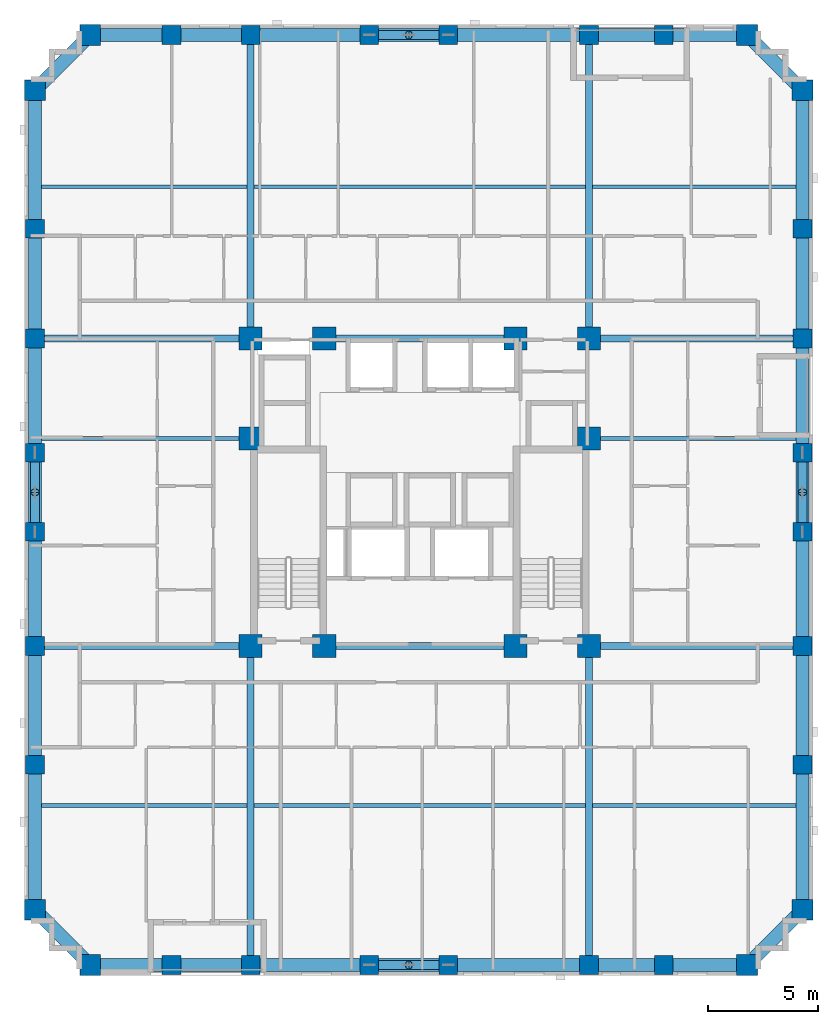
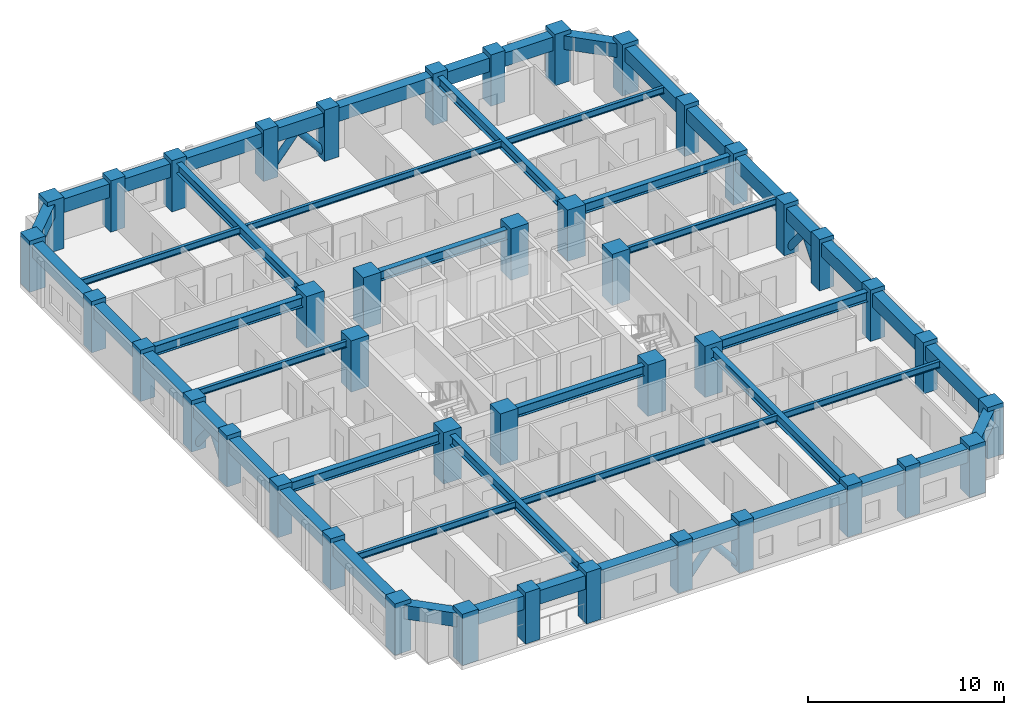
# One storey, part 1 of 12: 50 beams, 42 columns, 8 members.
"""IFC4 building model written with IfcOpenShell, lengths in metres."""

from ifc_helpers import new_model, si_unit, derived_unit, direction, frame, origin, origin_2d, place, context, subcontext, project, spatial, rectangle, hollow_circle, i_section, extrude, material, material_profile, profile_set, type_object, element, save


model = new_model("IFC4")

# Units and contexts
model_context = context("Model", 3, precision=1e-05, world=origin(), true_north=direction((0.0, 1.0)))
body_context = subcontext(model_context, "Body", "Model", "MODEL_VIEW")
ifc_project = project(units=[si_unit("LENGTHUNIT", "METRE"), si_unit("AREAUNIT", "SQUARE_METRE"), si_unit("VOLUMEUNIT", "CUBIC_METRE"), si_unit("PLANEANGLEUNIT", "RADIAN"), si_unit("MASSUNIT", "GRAM", prefix="KILO"), derived_unit("THERMALTRANSMITTANCEUNIT", [(si_unit("MASSUNIT", "GRAM", prefix="KILO"), 1), (si_unit("TIMEUNIT", "SECOND"), -3), (si_unit("THERMODYNAMICTEMPERATUREUNIT", "KELVIN"), -1)])], contexts=[model_context])

# Site, building, storey
site_placement = place(None, origin())
site = spatial("IfcSite", under=ifc_project, at=site_placement, CompositionType="ELEMENT")
building_placement = place(site_placement, origin())
building = spatial("IfcBuilding", under=site, at=building_placement, Name="Korrvale Station Residences", CompositionType="ELEMENT")
storey_placement = place(building_placement, frame((0.0, 0.0, 81.5)))
storey = spatial("IfcBuildingStorey", under=building, at=storey_placement, Name="L22", CompositionType="ELEMENT", Elevation=81.5)

# Columns
ifc_material_1 = material(Name="Concrete C60/75", Category="concrete")
ifc_material_profile_1 = material_profile(ifc_material_1, rectangle(XDim=1.050048828125, YDim=1.050048828125, at=origin_2d()), Name="RC1050x1050")
ifc_profile_set_1 = profile_set([ifc_material_profile_1], Name="Concrete C60/75")
column_type_1 = type_object("IfcColumnType", Name="COL-C-RC1050x1050-C6075", PredefinedType="COLUMN", material=ifc_profile_set_1)
for number, where, z_axis, x_axis, name in (
    (1, (17.800048828125, 15.0, 0.0), (0.0, 0.0, 1.0), (1.0, 0.0, 0.0), "L22 Core Column 01"),
    (2, (21.14990234375, 15.0, 0.0), (0.0, 0.0, 1.0), (1.0, 0.0, 0.0), "L22 Core Column 02"),
    (3, (29.85009765625, 15.0, 0.0), (0.0, 0.0, 1.0), (1.0, 0.0, 0.0), "L22 Core Column 03"),
    (4, (33.199951171875, 15.0, 0.0), (0.0, 0.0, 1.0), (1.0, 0.0, 0.0), "L22 Core Column 04"),
    (5, (17.800048828125, 29.0, 0.0), (0.0, 0.0, 1.0), (1.0, 0.0, 0.0), "L22 Core Column 05"),
    (6, (21.14990234375, 29.0, 0.0), (0.0, 0.0, 1.0), (1.0, 0.0, 0.0), "L22 Core Column 06"),
    (7, (29.85009765625, 29.0, 0.0), (0.0, 0.0, 1.0), (1.0, 0.0, 0.0), "L22 Core Column 07"),
    (8, (33.199951171875, 29.0, 0.0), (0.0, 0.0, 1.0), (1.0, 0.0, 0.0), "L22 Core Column 08"),
    (9, (17.800048828125, 24.449951171875, 0.0), (0.0, 0.0, 1.0), (1.0, 0.0, 0.0), "L22 Core Column 09"),
    (10, (33.199951171875, 24.449951171875, 0.0), (0.0, 0.0, 1.0), (1.0, 0.0, 0.0), "L22 Core Column 10"),
):
    element("IfcColumn", number, at=place(storey_placement, frame(where, z_axis=z_axis, x_axis=x_axis)), inside=storey, type_object=column_type_1, Name=name, PredefinedType="COLUMN", context=body_context, shape_type="SweptSolid", body=[
        extrude(rectangle(XDim=1.050048828125, YDim=1.050048828125, at=origin_2d()), origin(), (0.0, 0.0, 1.0), 3.199951171875),
    ])
ifc_material_profile_2 = material_profile(ifc_material_1, rectangle(XDim=0.85009765625, YDim=0.85009765625, at=origin_2d()), Name="RC850x850")
ifc_profile_set_2 = profile_set([ifc_material_profile_2], Name="Concrete C60/75")
column_type_2 = type_object("IfcColumnType", Name="COL-C-RC850x850-C6075", PredefinedType="COLUMN", material=ifc_profile_set_2)
for number, where, z_axis, x_axis, name in (
    (11, (14.199951171875, 0.47998046875, 0.0), (0.0, 0.0, 1.0), (1.0, 0.0, 0.0), "L22 Bundled-Tube South Column 02"),
    (12, (17.800048828125, 0.47998046875, 0.0), (0.0, 0.0, 1.0), (1.0, 0.0, 0.0), "L22 Bundled-Tube South Column 03"),
    (13, (23.199951171875, 0.47998046875, 0.0), (0.0, 0.0, 1.0), (1.0, 0.0, 0.0), "L22 Bundled-Tube South Column 04"),
    (14, (26.800048828125, 0.47998046875, 0.0), (0.0, 0.0, 1.0), (1.0, 0.0, 0.0), "L22 Bundled-Tube South Column 05"),
    (15, (33.199951171875, 0.47998046875, 0.0), (0.0, 0.0, 1.0), (1.0, 0.0, 0.0), "L22 Bundled-Tube South Column 06"),
    (16, (36.60009765625, 0.47998046875, 0.0), (0.0, 0.0, 1.0), (1.0, 0.0, 0.0), "L22 Bundled-Tube South Column 07"),
    (17, (14.199951171875, 42.820068359375, 0.0), (0.0, 0.0, 1.0), (1.0, 0.0, 0.0), "L22 Bundled-Tube North Column 10"),
    (18, (17.800048828125, 42.820068359375, 0.0), (0.0, 0.0, 1.0), (1.0, 0.0, 0.0), "L22 Bundled-Tube North Column 11"),
    (19, (23.199951171875, 42.820068359375, 0.0), (0.0, 0.0, 1.0), (1.0, 0.0, 0.0), "L22 Bundled-Tube North Column 12"),
    (20, (26.800048828125, 42.820068359375, 0.0), (0.0, 0.0, 1.0), (1.0, 0.0, 0.0), "L22 Bundled-Tube North Column 13"),
    (21, (33.199951171875, 42.820068359375, 0.0), (0.0, 0.0, 1.0), (1.0, 0.0, 0.0), "L22 Bundled-Tube North Column 14"),
    (22, (36.60009765625, 42.820068359375, 0.0), (0.0, 0.0, 1.0), (1.0, 0.0, 0.0), "L22 Bundled-Tube North Column 15"),
    (23, (7.97998046875, 9.60009765625, 0.0), (0.0, 0.0, 1.0), (1.0, 0.0, 0.0), "L22 Bundled-Tube West Column 18"),
    (24, (7.97998046875, 15.0, 0.0), (0.0, 0.0, 1.0), (1.0, 0.0, 0.0), "L22 Bundled-Tube West Column 19"),
    (25, (7.97998046875, 20.199951171875, 0.0), (0.0, 0.0, 1.0), (1.0, 0.0, 0.0), "L22 Bundled-Tube West Column 20"),
    (26, (7.97998046875, 23.800048828125, 0.0), (0.0, 0.0, 1.0), (1.0, 0.0, 0.0), "L22 Bundled-Tube West Column 21"),
    (27, (7.97998046875, 29.0, 0.0), (0.0, 0.0, 1.0), (1.0, 0.0, 0.0), "L22 Bundled-Tube West Column 22"),
    (28, (7.97998046875, 34.0, 0.0), (0.0, 0.0, 1.0), (1.0, 0.0, 0.0), "L22 Bundled-Tube West Column 23"),
    (29, (42.919921875, 9.60009765625, 0.0), (0.0, 0.0, 1.0), (1.0, 0.0, 0.0), "L22 Bundled-Tube East Column 26"),
    (30, (42.919921875, 15.0, 0.0), (0.0, 0.0, 1.0), (1.0, 0.0, 0.0), "L22 Bundled-Tube East Column 27"),
    (31, (42.919921875, 20.199951171875, 0.0), (0.0, 0.0, 1.0), (1.0, 0.0, 0.0), "L22 Bundled-Tube East Column 28"),
    (32, (42.919921875, 23.800048828125, 0.0), (0.0, 0.0, 1.0), (1.0, 0.0, 0.0), "L22 Bundled-Tube East Column 29"),
    (33, (42.919921875, 29.0, 0.0), (0.0, 0.0, 1.0), (1.0, 0.0, 0.0), "L22 Bundled-Tube East Column 30"),
    (34, (42.919921875, 34.0, 0.0), (0.0, 0.0, 1.0), (1.0, 0.0, 0.0), "L22 Bundled-Tube East Column 31"),
):
    element("IfcColumn", number, at=place(storey_placement, frame(where, z_axis=z_axis, x_axis=x_axis)), inside=storey, type_object=column_type_2, Name=name, PredefinedType="COLUMN", context=body_context, shape_type="SweptSolid", body=[
        extrude(rectangle(XDim=0.85009765625, YDim=0.85009765625, at=origin_2d()), origin(), (0.0, 0.0, 1.0), 3.199951171875),
    ])
ifc_material_profile_3 = material_profile(ifc_material_1, rectangle(XDim=0.949951171875, YDim=0.949951171875, at=origin_2d()), Name="RC950x950")
ifc_profile_set_3 = profile_set([ifc_material_profile_3], Name="Concrete C60/75")
column_type_3 = type_object("IfcColumnType", Name="COL-C-RC950x950-C6075", PredefinedType="COLUMN", material=ifc_profile_set_3)
for number, where, z_axis, x_axis, name in (
    (35, (10.5, 0.47998046875, 0.0), (0.0, 0.0, 1.0), (1.0, 0.0, 0.0), "L22 Bundled-Tube South Column 01"),
    (36, (40.39990234375, 0.47998046875, 0.0), (0.0, 0.0, 1.0), (1.0, 0.0, 0.0), "L22 Bundled-Tube South Column 08"),
    (37, (10.5, 42.820068359375, 0.0), (0.0, 0.0, 1.0), (1.0, 0.0, 0.0), "L22 Bundled-Tube North Column 09"),
    (38, (40.39990234375, 42.820068359375, 0.0), (0.0, 0.0, 1.0), (1.0, 0.0, 0.0), "L22 Bundled-Tube North Column 16"),
    (39, (7.97998046875, 3.0, 0.0), (0.0, 0.0, 1.0), (1.0, 0.0, 0.0), "L22 Bundled-Tube West Column 17"),
    (40, (7.97998046875, 40.300048828125, 0.0), (0.0, 0.0, 1.0), (1.0, 0.0, 0.0), "L22 Bundled-Tube West Column 24"),
    (41, (42.919921875, 3.0, 0.0), (0.0, 0.0, 1.0), (1.0, 0.0, 0.0), "L22 Bundled-Tube East Column 25"),
    (42, (42.919921875, 40.300048828125, 0.0), (0.0, 0.0, 1.0), (1.0, 0.0, 0.0), "L22 Bundled-Tube East Column 32"),
):
    element("IfcColumn", number, at=place(storey_placement, frame(where, z_axis=z_axis, x_axis=x_axis)), inside=storey, type_object=column_type_3, Name=name, PredefinedType="COLUMN", context=body_context, shape_type="SweptSolid", body=[
        extrude(rectangle(XDim=0.949951171875, YDim=0.949951171875, at=origin_2d()), origin(), (0.0, 0.0, 1.0), 3.199951171875),
    ])

# Beams
ifc_material_2 = material(Name="Steel S355", Category="steel")
ifc_material_profile_4 = material_profile(ifc_material_2, i_section(OverallWidth=0.324951171875, OverallDepth=0.615966796875, WebThickness=0.013916015625, FlangeThickness=0.021484375, FilletRadius=0.01904296875, at=origin_2d()), Name="W610x174")
ifc_profile_set_4 = profile_set([ifc_material_profile_4], Name="Steel S355")
beam_type_1 = type_object("IfcBeamType", Name="BM-BM-W610x174-S355", PredefinedType="BEAM", material=ifc_profile_set_4)
for number, where, z_axis, x_axis, name in (
    (43, (17.800048828125, 0.47998046875, 2.632080078125), (0.0, 1.0, 0.0), (-1.0, 0.0, 0.0), "L22 Bundled-Tube Web Girder 01"),
    (44, (33.199951171875, 0.47998046875, 2.632080078125), (0.0, 1.0, 0.0), (-1.0, 0.0, 0.0), "L22 Bundled-Tube Web Girder 02"),
):
    element("IfcBeam", number, at=place(storey_placement, frame(where, z_axis=z_axis, x_axis=x_axis)), inside=storey, type_object=beam_type_1, Name=name, PredefinedType="BEAM", context=body_context, shape_type="SweptSolid", body=[
        extrude(i_section(OverallWidth=0.324951171875, OverallDepth=0.615966796875, WebThickness=0.013916015625, FlangeThickness=0.021484375, FilletRadius=0.01904296875, at=origin_2d()), origin(), (0.0, 0.0, 1.0), 14.52001953125),
    ])
for number, where, z_axis, x_axis, name in (
    (45, (17.800048828125, 29.0, 2.632080078125), (0.0, 1.0, 0.0), (-1.0, 0.0, 0.0), "L22 Bundled-Tube Web Girder 03"),
    (46, (33.199951171875, 29.0, 2.632080078125), (0.0, 1.0, 0.0), (-1.0, 0.0, 0.0), "L22 Bundled-Tube Web Girder 04"),
):
    element("IfcBeam", number, at=place(storey_placement, frame(where, z_axis=z_axis, x_axis=x_axis)), inside=storey, type_object=beam_type_1, Name=name, PredefinedType="BEAM", context=body_context, shape_type="SweptSolid", body=[
        extrude(i_section(OverallWidth=0.324951171875, OverallDepth=0.615966796875, WebThickness=0.013916015625, FlangeThickness=0.021484375, FilletRadius=0.01904296875, at=origin_2d()), origin(), (0.0, 0.0, 1.0), 13.820068359375),
    ])
beam_1_placement = place(storey_placement, frame((7.97998046875, 15.0, 2.632080078125), z_axis=(1.0, 0.0, 0.0), x_axis=(0.0, 1.0, 0.0)))
element("IfcBeam", 47, at=beam_1_placement, inside=storey, type_object=beam_type_1, Name="L22 Bundled-Tube Web Girder 05", PredefinedType="BEAM", context=body_context, shape_type="SweptSolid", body=[
    extrude(i_section(OverallWidth=0.324951171875, OverallDepth=0.615966796875, WebThickness=0.013916015625, FlangeThickness=0.021484375, FilletRadius=0.01904296875, at=origin_2d()), origin(), (0.0, 0.0, 1.0), 9.820068359375),
])
beam_2_placement = place(storey_placement, frame((33.199951171875, 15.0, 2.632080078125), z_axis=(1.0, 0.0, 0.0), x_axis=(0.0, 1.0, 0.0)))
element("IfcBeam", 48, at=beam_2_placement, inside=storey, type_object=beam_type_1, Name="L22 Bundled-Tube Web Girder 06", PredefinedType="BEAM", context=body_context, shape_type="SweptSolid", body=[
    extrude(i_section(OverallWidth=0.324951171875, OverallDepth=0.615966796875, WebThickness=0.013916015625, FlangeThickness=0.021484375, FilletRadius=0.01904296875, at=origin_2d()), origin(), (0.0, 0.0, 1.0), 9.719970703125),
])
beam_3_placement = place(storey_placement, frame((7.97998046875, 29.0, 2.632080078125), z_axis=(1.0, 0.0, 0.0), x_axis=(0.0, 1.0, 0.0)))
element("IfcBeam", 49, at=beam_3_placement, inside=storey, type_object=beam_type_1, Name="L22 Bundled-Tube Web Girder 07", PredefinedType="BEAM", context=body_context, shape_type="SweptSolid", body=[
    extrude(i_section(OverallWidth=0.324951171875, OverallDepth=0.615966796875, WebThickness=0.013916015625, FlangeThickness=0.021484375, FilletRadius=0.01904296875, at=origin_2d()), origin(), (0.0, 0.0, 1.0), 9.820068359375),
])
beam_4_placement = place(storey_placement, frame((33.199951171875, 29.0, 2.632080078125), z_axis=(1.0, 0.0, 0.0), x_axis=(0.0, 1.0, 0.0)))
element("IfcBeam", 50, at=beam_4_placement, inside=storey, type_object=beam_type_1, Name="L22 Bundled-Tube Web Girder 08", PredefinedType="BEAM", context=body_context, shape_type="SweptSolid", body=[
    extrude(i_section(OverallWidth=0.324951171875, OverallDepth=0.615966796875, WebThickness=0.013916015625, FlangeThickness=0.021484375, FilletRadius=0.01904296875, at=origin_2d()), origin(), (0.0, 0.0, 1.0), 9.719970703125),
])
for number, where, z_axis, x_axis, name in (
    (51, (21.14990234375, 15.0, 2.632080078125), (1.0, 0.0, 0.0), (0.0, 1.0, 0.0), "L22 Bundled-Tube Web Girder 09"),
    (52, (21.14990234375, 29.0, 2.632080078125), (1.0, 0.0, 0.0), (0.0, 1.0, 0.0), "L22 Bundled-Tube Web Girder 10"),
):
    element("IfcBeam", number, at=place(storey_placement, frame(where, z_axis=z_axis, x_axis=x_axis)), inside=storey, type_object=beam_type_1, Name=name, PredefinedType="BEAM", context=body_context, shape_type="SweptSolid", body=[
        extrude(i_section(OverallWidth=0.324951171875, OverallDepth=0.615966796875, WebThickness=0.013916015625, FlangeThickness=0.021484375, FilletRadius=0.01904296875, at=origin_2d()), origin(), (0.0, 0.0, 1.0), 8.7001953125),
    ])
ifc_material_profile_5 = material_profile(ifc_material_2, i_section(OverallWidth=0.177978515625, OverallDepth=0.406982421875, WebThickness=0.0078125, FlangeThickness=0.0126953125, FilletRadius=0.01611328125, at=origin_2d()), Name="W410x60")
ifc_profile_set_5 = profile_set([ifc_material_profile_5], Name="Steel S355")
beam_type_2 = type_object("IfcBeamType", Name="BM-JST-W410x60-S355", PredefinedType="JOIST", material=ifc_profile_set_5)
beam_5_placement = place(storey_placement, frame((8.280029296875, 7.739990234375, 2.736572265625), z_axis=(1.0, 0.0, 0.0), x_axis=(0.0, 1.0, 0.0)))
element("IfcBeam", 53, at=beam_5_placement, inside=storey, type_object=beam_type_2, Name="L22 Floor Framing Joist 01", PredefinedType="JOIST", context=body_context, shape_type="SweptSolid", body=[
    extrude(i_section(OverallWidth=0.177978515625, OverallDepth=0.406982421875, WebThickness=0.0078125, FlangeThickness=0.0126953125, FilletRadius=0.01611328125, at=origin_2d()), origin(), (0.0, 0.0, 1.0), 9.357421875),
])
beam_6_placement = place(storey_placement, frame((17.96240234375, 7.739990234375, 2.736572265625), z_axis=(1.0, 0.0, 0.0), x_axis=(0.0, 1.0, 0.0)))
element("IfcBeam", 54, at=beam_6_placement, inside=storey, type_object=beam_type_2, Name="L22 Floor Framing Joist 02", PredefinedType="JOIST", context=body_context, shape_type="SweptSolid", body=[
    extrude(i_section(OverallWidth=0.177978515625, OverallDepth=0.406982421875, WebThickness=0.0078125, FlangeThickness=0.0126953125, FilletRadius=0.01611328125, at=origin_2d()), origin(), (0.0, 0.0, 1.0), 15.0751953125),
])
beam_7_placement = place(storey_placement, frame((33.362548828125, 7.739990234375, 2.736572265625), z_axis=(1.0, 0.0, 0.0), x_axis=(0.0, 1.0, 0.0)))
element("IfcBeam", 55, at=beam_7_placement, inside=storey, type_object=beam_type_2, Name="L22 Floor Framing Joist 03", PredefinedType="JOIST", context=body_context, shape_type="SweptSolid", body=[
    extrude(i_section(OverallWidth=0.177978515625, OverallDepth=0.406982421875, WebThickness=0.0078125, FlangeThickness=0.0126953125, FilletRadius=0.01611328125, at=origin_2d()), origin(), (0.0, 0.0, 1.0), 9.257568359375),
])
beam_8_placement = place(storey_placement, frame((8.280029296875, 35.909912109375, 2.736572265625), z_axis=(1.0, 0.0, 0.0), x_axis=(0.0, 1.0, 0.0)))
element("IfcBeam", 56, at=beam_8_placement, inside=storey, type_object=beam_type_2, Name="L22 Floor Framing Joist 04", PredefinedType="JOIST", context=body_context, shape_type="SweptSolid", body=[
    extrude(i_section(OverallWidth=0.177978515625, OverallDepth=0.406982421875, WebThickness=0.0078125, FlangeThickness=0.0126953125, FilletRadius=0.01611328125, at=origin_2d()), origin(), (0.0, 0.0, 1.0), 9.357421875),
])
beam_9_placement = place(storey_placement, frame((17.96240234375, 35.909912109375, 2.736572265625), z_axis=(1.0, 0.0, 0.0), x_axis=(0.0, 1.0, 0.0)))
element("IfcBeam", 57, at=beam_9_placement, inside=storey, type_object=beam_type_2, Name="L22 Floor Framing Joist 05", PredefinedType="JOIST", context=body_context, shape_type="SweptSolid", body=[
    extrude(i_section(OverallWidth=0.177978515625, OverallDepth=0.406982421875, WebThickness=0.0078125, FlangeThickness=0.0126953125, FilletRadius=0.01611328125, at=origin_2d()), origin(), (0.0, 0.0, 1.0), 15.0751953125),
])
beam_10_placement = place(storey_placement, frame((33.362548828125, 35.909912109375, 2.736572265625), z_axis=(1.0, 0.0, 0.0), x_axis=(0.0, 1.0, 0.0)))
element("IfcBeam", 58, at=beam_10_placement, inside=storey, type_object=beam_type_2, Name="L22 Floor Framing Joist 06", PredefinedType="JOIST", context=body_context, shape_type="SweptSolid", body=[
    extrude(i_section(OverallWidth=0.177978515625, OverallDepth=0.406982421875, WebThickness=0.0078125, FlangeThickness=0.0126953125, FilletRadius=0.01611328125, at=origin_2d()), origin(), (0.0, 0.0, 1.0), 9.257568359375),
])
beam_11_placement = place(storey_placement, frame((33.199951171875, 24.449951171875, 2.736572265625), z_axis=(1.0, 0.0, 0.0), x_axis=(0.0, 1.0, 0.0)))
element("IfcBeam", 59, at=beam_11_placement, inside=storey, type_object=beam_type_2, Name="L22 Floor Framing Joist 07", PredefinedType="JOIST", context=body_context, shape_type="SweptSolid", body=[
    extrude(i_section(OverallWidth=0.177978515625, OverallDepth=0.406982421875, WebThickness=0.0078125, FlangeThickness=0.0126953125, FilletRadius=0.01611328125, at=origin_2d()), origin(), (0.0, 0.0, 1.0), 9.420166015625),
])
beam_12_placement = place(storey_placement, frame((8.280029296875, 24.449951171875, 2.736572265625), z_axis=(1.0, 0.0, 0.0), x_axis=(0.0, 1.0, 0.0)))
element("IfcBeam", 60, at=beam_12_placement, inside=storey, type_object=beam_type_2, Name="L22 Floor Framing Joist 08", PredefinedType="JOIST", context=body_context, shape_type="SweptSolid", body=[
    extrude(i_section(OverallWidth=0.177978515625, OverallDepth=0.406982421875, WebThickness=0.0078125, FlangeThickness=0.0126953125, FilletRadius=0.01611328125, at=origin_2d()), origin(), (0.0, 0.0, 1.0), 9.52001953125),
])
ifc_material_profile_6 = material_profile(ifc_material_1, rectangle(XDim=0.60009765625, YDim=0.85009765625, at=origin_2d()), Name="RCB600x850")
ifc_profile_set_6 = profile_set([ifc_material_profile_6], Name="Concrete C60/75")
beam_type_3 = type_object("IfcBeamType", Name="BM-SPB-RCB600x850-C6075", PredefinedType="SPANDREL", material=ifc_profile_set_6)
beam_13_placement = place(storey_placement, frame((10.5, 0.47998046875, 2.514892578125), z_axis=(1.0, 0.0, 0.0), x_axis=(0.0, 1.0, 0.0)))
element("IfcBeam", 61, at=beam_13_placement, inside=storey, type_object=beam_type_3, Name="L22 South Tube Spandrel 01", PredefinedType="SPANDREL", context=body_context, shape_type="SweptSolid", body=[
    extrude(rectangle(XDim=0.60009765625, YDim=0.85009765625, at=origin_2d()), origin(), (0.0, 0.0, 1.0), 3.699951171875),
])
beam_14_placement = place(storey_placement, frame((14.199951171875, 0.47998046875, 2.514892578125), z_axis=(1.0, 0.0, 0.0), x_axis=(0.0, 1.0, 0.0)))
element("IfcBeam", 62, at=beam_14_placement, inside=storey, type_object=beam_type_3, Name="L22 South Tube Spandrel 02", PredefinedType="SPANDREL", context=body_context, shape_type="SweptSolid", body=[
    extrude(rectangle(XDim=0.60009765625, YDim=0.85009765625, at=origin_2d()), origin(), (0.0, 0.0, 1.0), 3.60009765625),
])
beam_15_placement = place(storey_placement, frame((17.800048828125, 0.47998046875, 2.514892578125), z_axis=(1.0, 0.0, 0.0), x_axis=(0.0, 1.0, 0.0)))
element("IfcBeam", 63, at=beam_15_placement, inside=storey, type_object=beam_type_3, Name="L22 South Tube Spandrel 03", PredefinedType="SPANDREL", context=body_context, shape_type="SweptSolid", body=[
    extrude(rectangle(XDim=0.60009765625, YDim=0.85009765625, at=origin_2d()), origin(), (0.0, 0.0, 1.0), 5.39990234375),
])
beam_16_placement = place(storey_placement, frame((23.199951171875, 0.47998046875, 2.514892578125), z_axis=(1.0, 0.0, 0.0), x_axis=(0.0, 1.0, 0.0)))
element("IfcBeam", 64, at=beam_16_placement, inside=storey, type_object=beam_type_3, Name="L22 South Tube Spandrel 04", PredefinedType="SPANDREL", context=body_context, shape_type="SweptSolid", body=[
    extrude(rectangle(XDim=0.60009765625, YDim=0.85009765625, at=origin_2d()), origin(), (0.0, 0.0, 1.0), 3.60009765625),
])
beam_17_placement = place(storey_placement, frame((26.800048828125, 0.47998046875, 2.514892578125), z_axis=(1.0, 0.0, 0.0), x_axis=(0.0, 1.0, 0.0)))
element("IfcBeam", 65, at=beam_17_placement, inside=storey, type_object=beam_type_3, Name="L22 South Tube Spandrel 05", PredefinedType="SPANDREL", context=body_context, shape_type="SweptSolid", body=[
    extrude(rectangle(XDim=0.60009765625, YDim=0.85009765625, at=origin_2d()), origin(), (0.0, 0.0, 1.0), 6.39990234375),
])
beam_18_placement = place(storey_placement, frame((33.199951171875, 0.47998046875, 2.514892578125), z_axis=(1.0, 0.0, 0.0), x_axis=(0.0, 1.0, 0.0)))
element("IfcBeam", 66, at=beam_18_placement, inside=storey, type_object=beam_type_3, Name="L22 South Tube Spandrel 06", PredefinedType="SPANDREL", context=body_context, shape_type="SweptSolid", body=[
    extrude(rectangle(XDim=0.60009765625, YDim=0.85009765625, at=origin_2d()), origin(), (0.0, 0.0, 1.0), 3.400146484375),
])
beam_19_placement = place(storey_placement, frame((36.60009765625, 0.47998046875, 2.514892578125), z_axis=(1.0, 0.0, 0.0), x_axis=(0.0, 1.0, 0.0)))
element("IfcBeam", 67, at=beam_19_placement, inside=storey, type_object=beam_type_3, Name="L22 South Tube Spandrel 07", PredefinedType="SPANDREL", context=body_context, shape_type="SweptSolid", body=[
    extrude(rectangle(XDim=0.60009765625, YDim=0.85009765625, at=origin_2d()), origin(), (0.0, 0.0, 1.0), 3.7998046875),
])
beam_20_placement = place(storey_placement, frame((10.5, 42.820068359375, 2.514892578125), z_axis=(1.0, 0.0, 0.0), x_axis=(0.0, 1.0, 0.0)))
element("IfcBeam", 68, at=beam_20_placement, inside=storey, type_object=beam_type_3, Name="L22 North Tube Spandrel 08", PredefinedType="SPANDREL", context=body_context, shape_type="SweptSolid", body=[
    extrude(rectangle(XDim=0.60009765625, YDim=0.85009765625, at=origin_2d()), origin(), (0.0, 0.0, 1.0), 3.699951171875),
])
beam_21_placement = place(storey_placement, frame((14.199951171875, 42.820068359375, 2.514892578125), z_axis=(1.0, 0.0, 0.0), x_axis=(0.0, 1.0, 0.0)))
element("IfcBeam", 69, at=beam_21_placement, inside=storey, type_object=beam_type_3, Name="L22 North Tube Spandrel 09", PredefinedType="SPANDREL", context=body_context, shape_type="SweptSolid", body=[
    extrude(rectangle(XDim=0.60009765625, YDim=0.85009765625, at=origin_2d()), origin(), (0.0, 0.0, 1.0), 3.60009765625),
])
beam_22_placement = place(storey_placement, frame((17.800048828125, 42.820068359375, 2.514892578125), z_axis=(1.0, 0.0, 0.0), x_axis=(0.0, 1.0, 0.0)))
element("IfcBeam", 70, at=beam_22_placement, inside=storey, type_object=beam_type_3, Name="L22 North Tube Spandrel 10", PredefinedType="SPANDREL", context=body_context, shape_type="SweptSolid", body=[
    extrude(rectangle(XDim=0.60009765625, YDim=0.85009765625, at=origin_2d()), origin(), (0.0, 0.0, 1.0), 5.39990234375),
])
beam_23_placement = place(storey_placement, frame((23.199951171875, 42.820068359375, 2.514892578125), z_axis=(1.0, 0.0, 0.0), x_axis=(0.0, 1.0, 0.0)))
element("IfcBeam", 71, at=beam_23_placement, inside=storey, type_object=beam_type_3, Name="L22 North Tube Spandrel 11", PredefinedType="SPANDREL", context=body_context, shape_type="SweptSolid", body=[
    extrude(rectangle(XDim=0.60009765625, YDim=0.85009765625, at=origin_2d()), origin(), (0.0, 0.0, 1.0), 3.60009765625),
])
beam_24_placement = place(storey_placement, frame((26.800048828125, 42.820068359375, 2.514892578125), z_axis=(1.0, 0.0, 0.0), x_axis=(0.0, 1.0, 0.0)))
element("IfcBeam", 72, at=beam_24_placement, inside=storey, type_object=beam_type_3, Name="L22 North Tube Spandrel 12", PredefinedType="SPANDREL", context=body_context, shape_type="SweptSolid", body=[
    extrude(rectangle(XDim=0.60009765625, YDim=0.85009765625, at=origin_2d()), origin(), (0.0, 0.0, 1.0), 6.39990234375),
])
beam_25_placement = place(storey_placement, frame((33.199951171875, 42.820068359375, 2.514892578125), z_axis=(1.0, 0.0, 0.0), x_axis=(0.0, 1.0, 0.0)))
element("IfcBeam", 73, at=beam_25_placement, inside=storey, type_object=beam_type_3, Name="L22 North Tube Spandrel 13", PredefinedType="SPANDREL", context=body_context, shape_type="SweptSolid", body=[
    extrude(rectangle(XDim=0.60009765625, YDim=0.85009765625, at=origin_2d()), origin(), (0.0, 0.0, 1.0), 3.400146484375),
])
beam_26_placement = place(storey_placement, frame((36.60009765625, 42.820068359375, 2.514892578125), z_axis=(1.0, 0.0, 0.0), x_axis=(0.0, 1.0, 0.0)))
element("IfcBeam", 74, at=beam_26_placement, inside=storey, type_object=beam_type_3, Name="L22 North Tube Spandrel 14", PredefinedType="SPANDREL", context=body_context, shape_type="SweptSolid", body=[
    extrude(rectangle(XDim=0.60009765625, YDim=0.85009765625, at=origin_2d()), origin(), (0.0, 0.0, 1.0), 3.7998046875),
])
beam_27_placement = place(storey_placement, frame((7.97998046875, 3.0, 2.514892578125), z_axis=(0.0, 1.0, 0.0), x_axis=(-1.0, 0.0, 0.0)))
element("IfcBeam", 75, at=beam_27_placement, inside=storey, type_object=beam_type_3, Name="L22 West Tube Spandrel 15", PredefinedType="SPANDREL", context=body_context, shape_type="SweptSolid", body=[
    extrude(rectangle(XDim=0.60009765625, YDim=0.85009765625, at=origin_2d()), origin(), (0.0, 0.0, 1.0), 6.60009765625),
])
beam_28_placement = place(storey_placement, frame((7.97998046875, 9.60009765625, 2.514892578125), z_axis=(0.0, 1.0, 0.0), x_axis=(-1.0, 0.0, 0.0)))
element("IfcBeam", 76, at=beam_28_placement, inside=storey, type_object=beam_type_3, Name="L22 West Tube Spandrel 16", PredefinedType="SPANDREL", context=body_context, shape_type="SweptSolid", body=[
    extrude(rectangle(XDim=0.60009765625, YDim=0.85009765625, at=origin_2d()), origin(), (0.0, 0.0, 1.0), 5.39990234375),
])
beam_29_placement = place(storey_placement, frame((7.97998046875, 15.0, 2.514892578125), z_axis=(0.0, 1.0, 0.0), x_axis=(-1.0, 0.0, 0.0)))
element("IfcBeam", 77, at=beam_29_placement, inside=storey, type_object=beam_type_3, Name="L22 West Tube Spandrel 17", PredefinedType="SPANDREL", context=body_context, shape_type="SweptSolid", body=[
    extrude(rectangle(XDim=0.60009765625, YDim=0.85009765625, at=origin_2d()), origin(), (0.0, 0.0, 1.0), 5.199951171875),
])
beam_30_placement = place(storey_placement, frame((7.97998046875, 20.199951171875, 2.514892578125), z_axis=(0.0, 1.0, 0.0), x_axis=(-1.0, 0.0, 0.0)))
element("IfcBeam", 78, at=beam_30_placement, inside=storey, type_object=beam_type_3, Name="L22 West Tube Spandrel 18", PredefinedType="SPANDREL", context=body_context, shape_type="SweptSolid", body=[
    extrude(rectangle(XDim=0.60009765625, YDim=0.85009765625, at=origin_2d()), origin(), (0.0, 0.0, 1.0), 3.60009765625),
])
beam_31_placement = place(storey_placement, frame((7.97998046875, 23.800048828125, 2.514892578125), z_axis=(0.0, 1.0, 0.0), x_axis=(-1.0, 0.0, 0.0)))
element("IfcBeam", 79, at=beam_31_placement, inside=storey, type_object=beam_type_3, Name="L22 West Tube Spandrel 19", PredefinedType="SPANDREL", context=body_context, shape_type="SweptSolid", body=[
    extrude(rectangle(XDim=0.60009765625, YDim=0.85009765625, at=origin_2d()), origin(), (0.0, 0.0, 1.0), 5.199951171875),
])
beam_32_placement = place(storey_placement, frame((7.97998046875, 29.0, 2.514892578125), z_axis=(0.0, 1.0, 0.0), x_axis=(-1.0, 0.0, 0.0)))
element("IfcBeam", 80, at=beam_32_placement, inside=storey, type_object=beam_type_3, Name="L22 West Tube Spandrel 20", PredefinedType="SPANDREL", context=body_context, shape_type="SweptSolid", body=[
    extrude(rectangle(XDim=0.60009765625, YDim=0.85009765625, at=origin_2d()), origin(), (0.0, 0.0, 1.0), 5.0),
])
beam_33_placement = place(storey_placement, frame((7.97998046875, 34.0, 2.514892578125), z_axis=(0.0, 1.0, 0.0), x_axis=(-1.0, 0.0, 0.0)))
element("IfcBeam", 81, at=beam_33_placement, inside=storey, type_object=beam_type_3, Name="L22 West Tube Spandrel 21", PredefinedType="SPANDREL", context=body_context, shape_type="SweptSolid", body=[
    extrude(rectangle(XDim=0.60009765625, YDim=0.85009765625, at=origin_2d()), origin(), (0.0, 0.0, 1.0), 6.300048828125),
])
beam_34_placement = place(storey_placement, frame((42.919921875, 3.0, 2.514892578125), z_axis=(0.0, 1.0, 0.0), x_axis=(-1.0, 0.0, 0.0)))
element("IfcBeam", 82, at=beam_34_placement, inside=storey, type_object=beam_type_3, Name="L22 East Tube Spandrel 22", PredefinedType="SPANDREL", context=body_context, shape_type="SweptSolid", body=[
    extrude(rectangle(XDim=0.60009765625, YDim=0.85009765625, at=origin_2d()), origin(), (0.0, 0.0, 1.0), 6.60009765625),
])
beam_35_placement = place(storey_placement, frame((42.919921875, 9.60009765625, 2.514892578125), z_axis=(0.0, 1.0, 0.0), x_axis=(-1.0, 0.0, 0.0)))
element("IfcBeam", 83, at=beam_35_placement, inside=storey, type_object=beam_type_3, Name="L22 East Tube Spandrel 23", PredefinedType="SPANDREL", context=body_context, shape_type="SweptSolid", body=[
    extrude(rectangle(XDim=0.60009765625, YDim=0.85009765625, at=origin_2d()), origin(), (0.0, 0.0, 1.0), 5.39990234375),
])
beam_36_placement = place(storey_placement, frame((42.919921875, 15.0, 2.514892578125), z_axis=(0.0, 1.0, 0.0), x_axis=(-1.0, 0.0, 0.0)))
element("IfcBeam", 84, at=beam_36_placement, inside=storey, type_object=beam_type_3, Name="L22 East Tube Spandrel 24", PredefinedType="SPANDREL", context=body_context, shape_type="SweptSolid", body=[
    extrude(rectangle(XDim=0.60009765625, YDim=0.85009765625, at=origin_2d()), origin(), (0.0, 0.0, 1.0), 5.199951171875),
])
beam_37_placement = place(storey_placement, frame((42.919921875, 20.199951171875, 2.514892578125), z_axis=(0.0, 1.0, 0.0), x_axis=(-1.0, 0.0, 0.0)))
element("IfcBeam", 85, at=beam_37_placement, inside=storey, type_object=beam_type_3, Name="L22 East Tube Spandrel 25", PredefinedType="SPANDREL", context=body_context, shape_type="SweptSolid", body=[
    extrude(rectangle(XDim=0.60009765625, YDim=0.85009765625, at=origin_2d()), origin(), (0.0, 0.0, 1.0), 3.60009765625),
])
beam_38_placement = place(storey_placement, frame((42.919921875, 23.800048828125, 2.514892578125), z_axis=(0.0, 1.0, 0.0), x_axis=(-1.0, 0.0, 0.0)))
element("IfcBeam", 86, at=beam_38_placement, inside=storey, type_object=beam_type_3, Name="L22 East Tube Spandrel 26", PredefinedType="SPANDREL", context=body_context, shape_type="SweptSolid", body=[
    extrude(rectangle(XDim=0.60009765625, YDim=0.85009765625, at=origin_2d()), origin(), (0.0, 0.0, 1.0), 5.199951171875),
])
beam_39_placement = place(storey_placement, frame((42.919921875, 29.0, 2.514892578125), z_axis=(0.0, 1.0, 0.0), x_axis=(-1.0, 0.0, 0.0)))
element("IfcBeam", 87, at=beam_39_placement, inside=storey, type_object=beam_type_3, Name="L22 East Tube Spandrel 27", PredefinedType="SPANDREL", context=body_context, shape_type="SweptSolid", body=[
    extrude(rectangle(XDim=0.60009765625, YDim=0.85009765625, at=origin_2d()), origin(), (0.0, 0.0, 1.0), 5.0),
])
beam_40_placement = place(storey_placement, frame((42.919921875, 34.0, 2.514892578125), z_axis=(0.0, 1.0, 0.0), x_axis=(-1.0, 0.0, 0.0)))
element("IfcBeam", 88, at=beam_40_placement, inside=storey, type_object=beam_type_3, Name="L22 East Tube Spandrel 28", PredefinedType="SPANDREL", context=body_context, shape_type="SweptSolid", body=[
    extrude(rectangle(XDim=0.60009765625, YDim=0.85009765625, at=origin_2d()), origin(), (0.0, 0.0, 1.0), 6.300048828125),
])
for number, where, z_axis, x_axis, name in (
    (89, (10.5, 0.47998046875, 2.514892578125), (-0.707106781187, 0.707106781187, 0.0), (-0.707106781187, -0.707106781187, 0.0), "L22 Serrated Corner Spandrel 29"),
    (90, (40.39990234375, 0.47998046875, 2.514892578125), (0.707106781187, 0.707106781187, 0.0), (-0.707106781187, 0.707106781187, 0.0), "L22 Serrated Corner Spandrel 30"),
    (91, (40.39990234375, 42.820068359375, 2.514892578125), (0.707106781187, -0.707106781187, 0.0), (0.707106781187, 0.707106781187, 0.0), "L22 Serrated Corner Spandrel 31"),
    (92, (10.5, 42.820068359375, 2.514892578125), (-0.707106781187, -0.707106781187, 0.0), (0.707106781187, -0.707106781187, 0.0), "L22 Serrated Corner Spandrel 32"),
):
    element("IfcBeam", number, at=place(storey_placement, frame(where, z_axis=z_axis, x_axis=x_axis)), inside=storey, type_object=beam_type_3, Name=name, PredefinedType="SPANDREL", context=body_context, shape_type="SweptSolid", body=[
        extrude(rectangle(XDim=0.60009765625, YDim=0.85009765625, at=origin_2d()), origin(), (0.0, 0.0, 1.0), 3.56396484375),
    ])

# Members
ifc_material_profile_7 = material_profile(ifc_material_2, hollow_circle(Radius=0.203125, WallThickness=0.015869140625, at=origin_2d()), Name="HSS406x16")
ifc_profile_set_7 = profile_set([ifc_material_profile_7], Name="Steel S355")
member_type = type_object("IfcMemberType", Name="MBR-BR-HSS406x16", PredefinedType="BRACE", material=ifc_profile_set_7)
for number, where, z_axis, x_axis, name in (
    (93, (23.199951171875, 0.47998046875, 0.02001953125), (0.634985494602, 0.0, 0.772524058942), (0.0, 1.0, 0.0), "L22 S Perimeter Tube Wind Brace 1"),
    (94, (26.800048828125, 0.47998046875, 0.02001953125), (-0.634985494602, 0.0, 0.772524058942), (0.0, -1.0, 0.0), "L22 S Perimeter Tube Wind Brace 2"),
    (95, (23.199951171875, 42.820068359375, 0.02001953125), (0.634985494602, 0.0, 0.772524058942), (0.0, 1.0, 0.0), "L22 N Perimeter Tube Wind Brace 1"),
    (96, (26.800048828125, 42.820068359375, 0.02001953125), (-0.634985494602, 0.0, 0.772524058942), (0.0, -1.0, 0.0), "L22 N Perimeter Tube Wind Brace 2"),
    (97, (7.97998046875, 20.199951171875, 0.02001953125), (0.0, 0.634985494602, 0.772524058942), (-1.0, 0.0, 0.0), "L22 W Perimeter Tube Wind Brace 1"),
    (98, (7.97998046875, 23.800048828125, 0.02001953125), (0.0, -0.634985494602, 0.772524058942), (1.0, 0.0, 0.0), "L22 W Perimeter Tube Wind Brace 2"),
    (99, (42.919921875, 20.199951171875, 0.02001953125), (0.0, 0.634985494602, 0.772524058942), (-1.0, 0.0, 0.0), "L22 E Perimeter Tube Wind Brace 1"),
    (100, (42.919921875, 23.800048828125, 0.02001953125), (0.0, -0.634985494602, 0.772524058942), (1.0, 0.0, 0.0), "L22 E Perimeter Tube Wind Brace 2"),
):
    element("IfcMember", number, at=place(storey_placement, frame(where, z_axis=z_axis, x_axis=x_axis)), inside=storey, type_object=member_type, Name=name, PredefinedType="BRACE", context=body_context, shape_type="SweptSolid", body=[
        extrude(hollow_circle(Radius=0.203125, WallThickness=0.015869140625, at=origin_2d()), origin(), (0.0, 0.0, 1.0), 2.834716796875),
    ])

save(model, "model.ifc")
